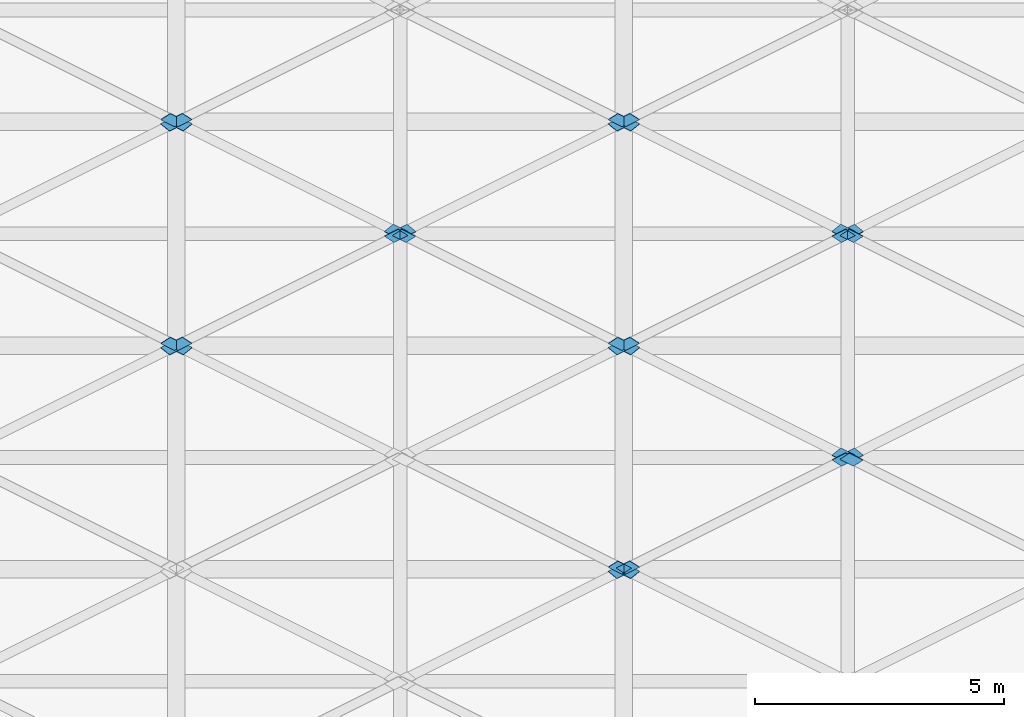
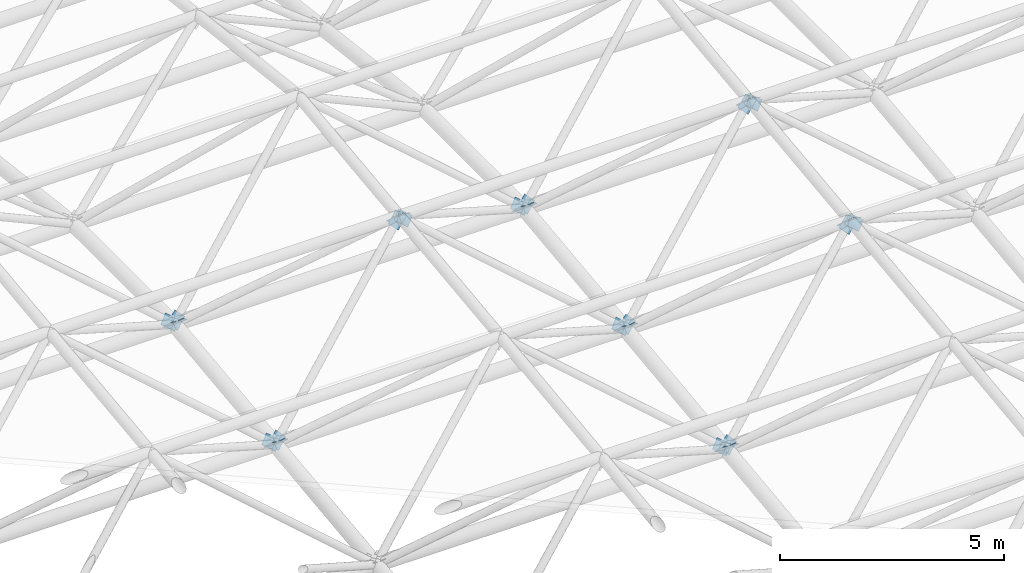
# One storey, part 34 of 53: 32 discrete accessories.
"""IFC4 building model written with IfcOpenShell, lengths in metres."""

from ifc_helpers import new_model, si_unit, direction, frame, origin, place, context, subcontext, project, spatial, polyline, outline, extrude, material, layer, layer_set, type_object, element, save


model = new_model("IFC4")

# Units and contexts
model_context = context("Model", 3, precision=1e-05, world=origin(), true_north=direction((0.0, 1.0)))
body_context = subcontext(model_context, "Body", "Model", "MODEL_VIEW")
ifc_project = project(units=[si_unit("LENGTHUNIT", "METRE"), si_unit("AREAUNIT", "SQUARE_METRE"), si_unit("VOLUMEUNIT", "CUBIC_METRE"), si_unit("PLANEANGLEUNIT", "RADIAN"), si_unit("MASSUNIT", "GRAM", prefix="KILO")], contexts=[model_context])

# Site, building, storey
site_placement = place(None, origin())
site = spatial("IfcSite", under=ifc_project, at=site_placement, CompositionType="ELEMENT")
building_placement = place(site_placement, origin())
building = spatial("IfcBuilding", under=site, at=building_placement, Name="Aravalli Gate Trade Fair Centre", CompositionType="ELEMENT")
storey_placement = place(building_placement, frame((0.0, 0.0, 25.199951171875)))
storey = spatial("IfcBuildingStorey", under=building, at=storey_placement, Name="ROOF LEVEL 2", CompositionType="ELEMENT", Elevation=25.199951171875)

# Discrete accessories
ifc_material = material(Name="Steel E350", Category="steel")
ifc_layer = layer(ifc_material, 0.011962890625)
ifc_layer_set = layer_set([ifc_layer], Name="Steel E350")
discrete_accessory_type = type_object("IfcDiscreteAccessoryType", Name="Gusset plate 291 x 291 x 12", PredefinedType="USERDEFINED", material=ifc_layer_set)
discrete_accessory_1_placement = place(storey_placement, frame((64.181884765625, 66.213134765625, 1.029052734375), z_axis=(-6.9765199e-05, 0.771154883137, 0.636647580178), x_axis=(0.786233023991, 0.393446013556, -0.476484906794)))
element("IfcDiscreteAccessory", 1, at=discrete_accessory_1_placement, inside=storey, type_object=discrete_accessory_type, Name="Gusset plate Space frame web diagonal D2A end B", ObjectType="GUSSET PLATE", PredefinedType="USERDEFINED", context=body_context, shape_type="SweptSolid", body=[
    extrude(outline(polyline([(0.0, 0.0), (0.37044967171058096, -2.7755575615628914e-17), (0.3702947268495056, -0.290591407927876), (-0.0003468962829482891, -0.29044054608337494), (0.0, 0.0)])), origin(), (0.0, 0.0, -1.0), 0.011962890625),
])
discrete_accessory_2_placement = place(storey_placement, frame((64.638916015625, 66.067626953125, 1.205322265625), z_axis=(6.9765199e-05, 0.771154883137, 0.636647580178), x_axis=(-0.786484474244, 0.393242254842, -0.476238071536)))
element("IfcDiscreteAccessory", 2, at=discrete_accessory_2_placement, inside=storey, type_object=discrete_accessory_type, Name="Gusset plate Space frame web diagonal D2B end B", ObjectType="GUSSET PLATE", PredefinedType="USERDEFINED", context=body_context, shape_type="SweptSolid", body=[
    extrude(outline(polyline([(0.0, 0.0), (0.37064165383501635, 1.3877787807814457e-17), (0.3706783195979393, -0.29059144692340316), (0.00022867857401766278, -0.2904406632211646), (0.0, 0.0)])), origin(), (0.0, 0.0, -1.0), 0.011962890625),
])
discrete_accessory_3_placement = place(storey_placement, frame((64.18603515625, 66.292236328125, 1.047119140625), z_axis=(-0.000356491483, -0.824386555112, 0.566027102411), x_axis=(0.749660046124, -0.374830119882, -0.545446786108)))
element("IfcDiscreteAccessory", 3, at=discrete_accessory_3_placement, inside=storey, type_object=discrete_accessory_type, Name="Gusset plate Space frame web diagonal D2C end B", ObjectType="GUSSET PLATE", PredefinedType="USERDEFINED", context=body_context, shape_type="SweptSolid", body=[
    extrude(outline(polyline([(0.0, 0.0), (0.37061069570280314, 0.0), (0.3704262257769532, 0.2905262593825685), (-1.4474536517566916e-06, 0.29068783726431885), (0.0, 0.0)])), origin(), (0.0, 0.0, -1.0), 0.011962890625),
])
discrete_accessory_4_placement = place(storey_placement, frame((69.12158203125, 68.324462890625, 4.005126953125), z_axis=(-5.9235462e-05, -0.824355565608, 0.566072343383), x_axis=(-0.74937131646, 0.374861397834, 0.545821914622)))
element("IfcDiscreteAccessory", 4, at=discrete_accessory_4_placement, inside=storey, type_object=discrete_accessory_type, Name="Gusset plate Space frame web diagonal D2C end A", ObjectType="GUSSET PLATE", PredefinedType="USERDEFINED", context=body_context, shape_type="SweptSolid", body=[
    extrude(outline(polyline([(0.0, 0.0), (0.3704277020236978, 0.0), (0.37073891027907924, -0.290526143046557), (-5.001029550574798e-06, -0.29053697785674903), (0.0, 0.0)])), origin(), (0.0, 0.0, -1.0), 0.011962890625),
])
discrete_accessory_5_placement = place(storey_placement, frame((68.68603515625, 68.44775390625, 4.1845703125), z_axis=(5.9235462e-05, -0.824355565608, 0.566072343383), x_axis=(0.749390667151, 0.374849001628, 0.545803860343)))
element("IfcDiscreteAccessory", 5, at=discrete_accessory_5_placement, inside=storey, type_object=discrete_accessory_type, Name="Gusset plate Space frame web diagonal D2D end A", ObjectType="GUSSET PLATE", PredefinedType="USERDEFINED", context=body_context, shape_type="SweptSolid", body=[
    extrude(outline(polyline([(0.0, 0.0), (0.37074391146695085, 0.0), (0.3704411936966931, -0.2905261520174016), (1.3491831181253189e-05, -0.2905369775865267), (0.0, 0.0)])), origin(), (0.0, 0.0, -1.0), 0.011962890625),
])
discrete_accessory_6_placement = place(storey_placement, frame((64.62158203125, 66.41552734375, 1.226806640625), z_axis=(0.000356491483, -0.824386555112, 0.566027102411), x_axis=(-0.749371292409, -0.375015088164, -0.54571636384)))
element("IfcDiscreteAccessory", 6, at=discrete_accessory_6_placement, inside=storey, type_object=discrete_accessory_type, Name="Gusset plate Space frame web diagonal D2D end B", ObjectType="GUSSET PLATE", PredefinedType="USERDEFINED", context=body_context, shape_type="SweptSolid", body=[
    extrude(outline(polyline([(0.0, 0.0), (0.3704277084701571, 1.3877787807814457e-17), (0.3707389038272042, 0.29052615127976134), (0.00012824338136119273, 0.2906878089792164), (0.0, 0.0)])), origin(), (0.0, 0.0, -1.0), 0.011962890625),
])
for number, where, z_axis, x_axis, name in (
    (7, (55.181884765625, 70.713134765625, 1.574462890625), (0.000589123978, 0.771792295466, 0.635874441689), (0.785942550469, 0.392803472142, -0.477493182816), "Gusset plate Space frame web diagonal D3A end B"),
    (8, (64.181884765625, 70.713134765625, 1.574462890625), (0.000589123978, 0.771792295466, 0.635874441689), (0.785942550469, 0.392803472142, -0.477493182816), "Gusset plate Space frame web diagonal D3A end B"),
):
    element("IfcDiscreteAccessory", number, at=place(storey_placement, frame(where, z_axis=z_axis, x_axis=x_axis)), inside=storey, type_object=discrete_accessory_type, Name=name, ObjectType="GUSSET PLATE", PredefinedType="USERDEFINED", context=body_context, shape_type="SweptSolid", body=[
        extrude(outline(polyline([(0.0, 0.0), (0.3705866429803553, -2.7755575615628914e-17), (0.37039124031354775, -0.29046920151748473), (-7.882718272163303e-05, -0.29032116611826925), (0.0, 0.0)])), origin(), (0.0, 0.0, -1.0), 0.011962890625),
    ])
discrete_accessory_7_placement = place(storey_placement, frame((69.138671875, 68.69140625, 4.027099609375), z_axis=(0.000259688153, 0.77158167438, 0.636130216483), x_axis=(-0.786189750281, -0.392961505637, 0.476955901148)))
element("IfcDiscreteAccessory", 9, at=discrete_accessory_7_placement, inside=storey, type_object=discrete_accessory_type, Name="Gusset plate Space frame web diagonal D3A end A", ObjectType="GUSSET PLATE", PredefinedType="USERDEFINED", context=body_context, shape_type="SweptSolid", body=[
    extrude(outline(polyline([(0.0, 0.0), (0.37047009323158403, -1.3877787807814457e-17), (0.3706453255393415, 0.29059138113822636), (7.929444017017173e-05, 0.29046925152010133), (0.0, 0.0)])), origin(), (0.0, 0.0, -1.0), 0.011962890625),
])
discrete_accessory_8_placement = place(storey_placement, frame((55.181884765625, 75.213134765625, 2.1142578125), z_axis=(0.000259222443, 0.771843687699, 0.635812279342), x_axis=(0.78618965885, 0.392765328311, -0.477117613586)))
element("IfcDiscreteAccessory", 10, at=discrete_accessory_8_placement, inside=storey, type_object=discrete_accessory_type, Name="Gusset plate Space frame web diagonal D3A end B", ObjectType="GUSSET PLATE", PredefinedType="USERDEFINED", context=body_context, shape_type="SweptSolid", body=[
    extrude(outline(polyline([(0.0, 0.0), (0.3704701052045229, -2.7755575615628914e-17), (0.3703907868210381, -0.2904692667840814), (-7.931838348480824e-05, -0.2904692667840814), (0.0, 0.0)])), origin(), (0.0, 0.0, -1.0), 0.011962890625),
])
discrete_accessory_9_placement = place(storey_placement, frame((60.138671875, 73.19140625, 4.567138671875), z_axis=(0.000259688153, 0.77158167438, 0.636130216483), x_axis=(-0.786189750281, -0.392961505637, 0.476955901148)))
element("IfcDiscreteAccessory", 11, at=discrete_accessory_9_placement, inside=storey, type_object=discrete_accessory_type, Name="Gusset plate Space frame web diagonal D3A end A", ObjectType="GUSSET PLATE", PredefinedType="USERDEFINED", context=body_context, shape_type="SweptSolid", body=[
    extrude(outline(polyline([(0.0, 0.0), (0.37047009323158403, -1.3877787807814457e-17), (0.3706453255393415, 0.29059138113822636), (7.929444017017173e-05, 0.29046925152010133), (0.0, 0.0)])), origin(), (0.0, 0.0, -1.0), 0.011962890625),
])
discrete_accessory_10_placement = place(storey_placement, frame((64.181884765625, 75.213134765625, 2.1142578125), z_axis=(0.000259222443, 0.771843687699, 0.635812279342), x_axis=(0.78618965885, 0.392765328311, -0.477117613586)))
element("IfcDiscreteAccessory", 12, at=discrete_accessory_10_placement, inside=storey, type_object=discrete_accessory_type, Name="Gusset plate Space frame web diagonal D3A end B", ObjectType="GUSSET PLATE", PredefinedType="USERDEFINED", context=body_context, shape_type="SweptSolid", body=[
    extrude(outline(polyline([(0.0, 0.0), (0.3704701052045229, -2.7755575615628914e-17), (0.3703907868210381, -0.2904692667840814), (-7.931838348480824e-05, -0.2904692667840814), (0.0, 0.0)])), origin(), (0.0, 0.0, -1.0), 0.011962890625),
])
discrete_accessory_11_placement = place(storey_placement, frame((69.138671875, 73.19140625, 4.567138671875), z_axis=(0.000259688153, 0.77158167438, 0.636130216483), x_axis=(-0.786189750281, -0.392961505637, 0.476955901148)))
element("IfcDiscreteAccessory", 13, at=discrete_accessory_11_placement, inside=storey, type_object=discrete_accessory_type, Name="Gusset plate Space frame web diagonal D3A end A", ObjectType="GUSSET PLATE", PredefinedType="USERDEFINED", context=body_context, shape_type="SweptSolid", body=[
    extrude(outline(polyline([(0.0, 0.0), (0.37047009323158403, -1.3877787807814457e-17), (0.3706453255393415, 0.29059138113822636), (7.929444017017173e-05, 0.29046925152010133), (0.0, 0.0)])), origin(), (0.0, 0.0, -1.0), 0.011962890625),
])
discrete_accessory_12_placement = place(storey_placement, frame((55.638671875, 70.56787109375, 1.75048828125), z_axis=(-0.000589123978, 0.771792295466, 0.635874441689), x_axis=(-0.786189552673, 0.392603629975, -0.477250853324)))
element("IfcDiscreteAccessory", 14, at=discrete_accessory_12_placement, inside=storey, type_object=discrete_accessory_type, Name="Gusset plate Space frame web diagonal D3B end B", ObjectType="GUSSET PLATE", PredefinedType="USERDEFINED", context=body_context, shape_type="SweptSolid", body=[
    extrude(outline(polyline([(0.0, 0.0), (0.3704700970728539, 1.3877787807814457e-17), (0.37054943172141785, -0.29046925640835186), (-3.7181673048419794e-05, -0.2903211744387922), (0.0, 0.0)])), origin(), (0.0, 0.0, -1.0), 0.011962890625),
])
discrete_accessory_13_placement = place(storey_placement, frame((68.681884765625, 68.546142578125, 4.203369140625), z_axis=(-0.000259688153, 0.77158167438, 0.636130216483), x_axis=(0.785986034617, -0.393126352276, 0.477155765483)))
element("IfcDiscreteAccessory", 15, at=discrete_accessory_13_placement, inside=storey, type_object=discrete_accessory_type, Name="Gusset plate Space frame web diagonal D3B end A", ObjectType="GUSSET PLATE", PredefinedType="USERDEFINED", context=body_context, shape_type="SweptSolid", body=[
    extrude(outline(polyline([(0.0, 0.0), (0.3705660512246577, 1.3877787807814457e-17), (0.3702950470274762, 0.2905913076038385), (-0.0001750260838329909, 0.2904692096111498), (0.0, 0.0)])), origin(), (0.0, 0.0, -1.0), 0.011962890625),
])
discrete_accessory_14_placement = place(storey_placement, frame((64.638671875, 70.56787109375, 1.75048828125), z_axis=(-0.000589123978, 0.771792295466, 0.635874441689), x_axis=(-0.786189552673, 0.392603629975, -0.477250853324)))
element("IfcDiscreteAccessory", 16, at=discrete_accessory_14_placement, inside=storey, type_object=discrete_accessory_type, Name="Gusset plate Space frame web diagonal D3B end B", ObjectType="GUSSET PLATE", PredefinedType="USERDEFINED", context=body_context, shape_type="SweptSolid", body=[
    extrude(outline(polyline([(0.0, 0.0), (0.3704700970728539, 1.3877787807814457e-17), (0.37054943172141785, -0.29046925640835186), (-3.7181673048419794e-05, -0.2903211744387922), (0.0, 0.0)])), origin(), (0.0, 0.0, -1.0), 0.011962890625),
])
discrete_accessory_15_placement = place(storey_placement, frame((59.681884765625, 73.046142578125, 4.743408203125), z_axis=(-0.000259688153, 0.77158167438, 0.636130216483), x_axis=(0.785986034617, -0.393126352276, 0.477155765483)))
element("IfcDiscreteAccessory", 17, at=discrete_accessory_15_placement, inside=storey, type_object=discrete_accessory_type, Name="Gusset plate Space frame web diagonal D3B end A", ObjectType="GUSSET PLATE", PredefinedType="USERDEFINED", context=body_context, shape_type="SweptSolid", body=[
    extrude(outline(polyline([(0.0, 0.0), (0.3705660512246577, 1.3877787807814457e-17), (0.3702950470274762, 0.2905913076038385), (-0.0001750260838329909, 0.2904692096111498), (0.0, 0.0)])), origin(), (0.0, 0.0, -1.0), 0.011962890625),
])
discrete_accessory_16_placement = place(storey_placement, frame((55.638671875, 75.06787109375, 2.29052734375), z_axis=(-0.000259222443, 0.771843687699, 0.635812279342), x_axis=(-0.78618965885, 0.392765328311, -0.477117613586)))
element("IfcDiscreteAccessory", 18, at=discrete_accessory_16_placement, inside=storey, type_object=discrete_accessory_type, Name="Gusset plate Space frame web diagonal D3B end B", ObjectType="GUSSET PLATE", PredefinedType="USERDEFINED", context=body_context, shape_type="SweptSolid", body=[
    extrude(outline(polyline([(0.0, 0.0), (0.3704701052045229, 2.7755575615628914e-17), (0.3705494235880077, -0.29046926678408136), (7.931838348480824e-05, -0.2904692667840814), (0.0, 0.0)])), origin(), (0.0, 0.0, -1.0), 0.011962890625),
])
discrete_accessory_17_placement = place(storey_placement, frame((68.681884765625, 73.046142578125, 4.743408203125), z_axis=(-0.000259688153, 0.77158167438, 0.636130216483), x_axis=(0.785986034617, -0.393126352276, 0.477155765483)))
element("IfcDiscreteAccessory", 19, at=discrete_accessory_17_placement, inside=storey, type_object=discrete_accessory_type, Name="Gusset plate Space frame web diagonal D3B end A", ObjectType="GUSSET PLATE", PredefinedType="USERDEFINED", context=body_context, shape_type="SweptSolid", body=[
    extrude(outline(polyline([(0.0, 0.0), (0.3705660512246577, 1.3877787807814457e-17), (0.3702950470274762, 0.2905913076038385), (-0.0001750260838329909, 0.2904692096111498), (0.0, 0.0)])), origin(), (0.0, 0.0, -1.0), 0.011962890625),
])
discrete_accessory_18_placement = place(storey_placement, frame((64.638671875, 75.06787109375, 2.29052734375), z_axis=(-0.000259222443, 0.771843687699, 0.635812279342), x_axis=(-0.78618965885, 0.392765328311, -0.477117613586)))
element("IfcDiscreteAccessory", 20, at=discrete_accessory_18_placement, inside=storey, type_object=discrete_accessory_type, Name="Gusset plate Space frame web diagonal D3B end B", ObjectType="GUSSET PLATE", PredefinedType="USERDEFINED", context=body_context, shape_type="SweptSolid", body=[
    extrude(outline(polyline([(0.0, 0.0), (0.3704701052045229, 2.7755575615628914e-17), (0.3705494235880077, -0.29046926678408136), (7.931838348480824e-05, -0.2904692667840814), (0.0, 0.0)])), origin(), (0.0, 0.0, -1.0), 0.011962890625),
])
discrete_accessory_19_placement = place(storey_placement, frame((55.18603515625, 70.792236328125, 1.592041015625), z_axis=(0.000136804439, -0.823750482353, 0.566952488404), x_axis=(0.749929392198, -0.374964696099, -0.54498383774)))
element("IfcDiscreteAccessory", 21, at=discrete_accessory_19_placement, inside=storey, type_object=discrete_accessory_type, Name="Gusset plate Space frame web diagonal D3C end B", ObjectType="GUSSET PLATE", PredefinedType="USERDEFINED", context=body_context, shape_type="SweptSolid", body=[
    extrude(outline(polyline([(0.0, 0.0), (0.37047758647752815, -1.3877787807814457e-17), (0.37045297092456764, 0.2904791260615137), (-2.461555296055795e-05, 0.2904791260615137), (0.0, 0.0)])), origin(), (0.0, 0.0, -1.0), 0.011962890625),
])
discrete_accessory_20_placement = place(storey_placement, frame((60.121826171875, 72.824462890625, 4.54541015625), z_axis=(0.000136804439, -0.823750482353, 0.566952488404), x_axis=(-0.749929392198, 0.374964696099, 0.54498383774)))
element("IfcDiscreteAccessory", 22, at=discrete_accessory_20_placement, inside=storey, type_object=discrete_accessory_type, Name="Gusset plate Space frame web diagonal D3C end A", ObjectType="GUSSET PLATE", PredefinedType="USERDEFINED", context=body_context, shape_type="SweptSolid", body=[
    extrude(outline(polyline([(0.0, 0.0), (0.37047758647752815, -1.3877787807814457e-17), (0.37050220203048867, -0.2904791260615137), (2.461555296055795e-05, -0.2904791260615137), (0.0, 0.0)])), origin(), (0.0, 0.0, -1.0), 0.011962890625),
])
discrete_accessory_21_placement = place(storey_placement, frame((64.18603515625, 70.792236328125, 1.592041015625), z_axis=(0.000136804439, -0.823750482353, 0.566952488404), x_axis=(0.749929392198, -0.374964696099, -0.54498383774)))
element("IfcDiscreteAccessory", 23, at=discrete_accessory_21_placement, inside=storey, type_object=discrete_accessory_type, Name="Gusset plate Space frame web diagonal D3C end B", ObjectType="GUSSET PLATE", PredefinedType="USERDEFINED", context=body_context, shape_type="SweptSolid", body=[
    extrude(outline(polyline([(0.0, 0.0), (0.37047758647752815, -1.3877787807814457e-17), (0.37045297092456764, 0.2904791260615137), (-2.461555296055795e-05, 0.2904791260615137), (0.0, 0.0)])), origin(), (0.0, 0.0, -1.0), 0.011962890625),
])
discrete_accessory_22_placement = place(storey_placement, frame((69.121826171875, 72.824462890625, 4.54541015625), z_axis=(0.000136804439, -0.823750482353, 0.566952488404), x_axis=(-0.749929392198, 0.374964696099, 0.54498383774)))
element("IfcDiscreteAccessory", 24, at=discrete_accessory_22_placement, inside=storey, type_object=discrete_accessory_type, Name="Gusset plate Space frame web diagonal D3C end A", ObjectType="GUSSET PLATE", PredefinedType="USERDEFINED", context=body_context, shape_type="SweptSolid", body=[
    extrude(outline(polyline([(0.0, 0.0), (0.37047758647752815, -1.3877787807814457e-17), (0.37050220203048867, -0.2904791260615137), (2.461555296055795e-05, -0.2904791260615137), (0.0, 0.0)])), origin(), (0.0, 0.0, -1.0), 0.011962890625),
])
for number, where, z_axis, x_axis, name in (
    (25, (55.18603515625, 75.292236328125, 2.132080078125), (0.000136804439, -0.823750482353, 0.566952488404), (0.749929392198, -0.374964696099, -0.54498383774), "Gusset plate Space frame web diagonal D3C end B"),
    (26, (64.18603515625, 75.292236328125, 2.132080078125), (0.000136804439, -0.823750482353, 0.566952488404), (0.749929392198, -0.374964696099, -0.54498383774), "Gusset plate Space frame web diagonal D3C end B"),
):
    element("IfcDiscreteAccessory", number, at=place(storey_placement, frame(where, z_axis=z_axis, x_axis=x_axis)), inside=storey, type_object=discrete_accessory_type, Name=name, ObjectType="GUSSET PLATE", PredefinedType="USERDEFINED", context=body_context, shape_type="SweptSolid", body=[
        extrude(outline(polyline([(0.0, 0.0), (0.37047758647752815, -1.3877787807814457e-17), (0.37045297092456764, 0.2904791260615137), (-2.461555296055795e-05, 0.2904791260615137), (0.0, 0.0)])), origin(), (0.0, 0.0, -1.0), 0.011962890625),
    ])
discrete_accessory_23_placement = place(storey_placement, frame((59.68603515625, 72.947998046875, 4.724853515625), z_axis=(-0.000136804439, -0.823750482353, 0.566952488404), x_axis=(0.749929392198, 0.374964696099, 0.54498383774)))
element("IfcDiscreteAccessory", 27, at=discrete_accessory_23_placement, inside=storey, type_object=discrete_accessory_type, Name="Gusset plate Space frame web diagonal D3D end A", ObjectType="GUSSET PLATE", PredefinedType="USERDEFINED", context=body_context, shape_type="SweptSolid", body=[
    extrude(outline(polyline([(0.0, 0.0), (0.37047758647752815, 1.3877787807814457e-17), (0.37045297092456764, -0.2904791260615137), (-2.461555296055795e-05, -0.2904791260615137), (0.0, 0.0)])), origin(), (0.0, 0.0, -1.0), 0.011962890625),
])
discrete_accessory_24_placement = place(storey_placement, frame((55.621826171875, 70.915771484375, 1.771484375), z_axis=(-0.000136804439, -0.823750482353, 0.566952488404), x_axis=(-0.749929392198, -0.374964696099, -0.54498383774)))
element("IfcDiscreteAccessory", 28, at=discrete_accessory_24_placement, inside=storey, type_object=discrete_accessory_type, Name="Gusset plate Space frame web diagonal D3D end B", ObjectType="GUSSET PLATE", PredefinedType="USERDEFINED", context=body_context, shape_type="SweptSolid", body=[
    extrude(outline(polyline([(0.0, 0.0), (0.37047758647752815, 1.3877787807814457e-17), (0.37050220203048867, 0.2904791260615137), (2.461555296055795e-05, 0.2904791260615137), (0.0, 0.0)])), origin(), (0.0, 0.0, -1.0), 0.011962890625),
])
discrete_accessory_25_placement = place(storey_placement, frame((68.68603515625, 72.947998046875, 4.724853515625), z_axis=(-0.000136804439, -0.823750482353, 0.566952488404), x_axis=(0.749929392198, 0.374964696099, 0.54498383774)))
element("IfcDiscreteAccessory", 29, at=discrete_accessory_25_placement, inside=storey, type_object=discrete_accessory_type, Name="Gusset plate Space frame web diagonal D3D end A", ObjectType="GUSSET PLATE", PredefinedType="USERDEFINED", context=body_context, shape_type="SweptSolid", body=[
    extrude(outline(polyline([(0.0, 0.0), (0.37047758647752815, 1.3877787807814457e-17), (0.37045297092456764, -0.2904791260615137), (-2.461555296055795e-05, -0.2904791260615137), (0.0, 0.0)])), origin(), (0.0, 0.0, -1.0), 0.011962890625),
])
for number, where, z_axis, x_axis, name in (
    (30, (64.621826171875, 70.915771484375, 1.771484375), (-0.000136804439, -0.823750482353, 0.566952488404), (-0.749929392198, -0.374964696099, -0.54498383774), "Gusset plate Space frame web diagonal D3D end B"),
    (31, (55.621826171875, 75.415771484375, 2.3115234375), (-0.000136804439, -0.823750482353, 0.566952488404), (-0.749929392198, -0.374964696099, -0.54498383774), "Gusset plate Space frame web diagonal D3D end B"),
    (32, (64.621826171875, 75.415771484375, 2.3115234375), (-0.000136804439, -0.823750482353, 0.566952488404), (-0.749929392198, -0.374964696099, -0.54498383774), "Gusset plate Space frame web diagonal D3D end B"),
):
    element("IfcDiscreteAccessory", number, at=place(storey_placement, frame(where, z_axis=z_axis, x_axis=x_axis)), inside=storey, type_object=discrete_accessory_type, Name=name, ObjectType="GUSSET PLATE", PredefinedType="USERDEFINED", context=body_context, shape_type="SweptSolid", body=[
        extrude(outline(polyline([(0.0, 0.0), (0.37047758647752815, 1.3877787807814457e-17), (0.37050220203048867, 0.2904791260615137), (2.461555296055795e-05, 0.2904791260615137), (0.0, 0.0)])), origin(), (0.0, 0.0, -1.0), 0.011962890625),
    ])

save(model, "model.ifc")
